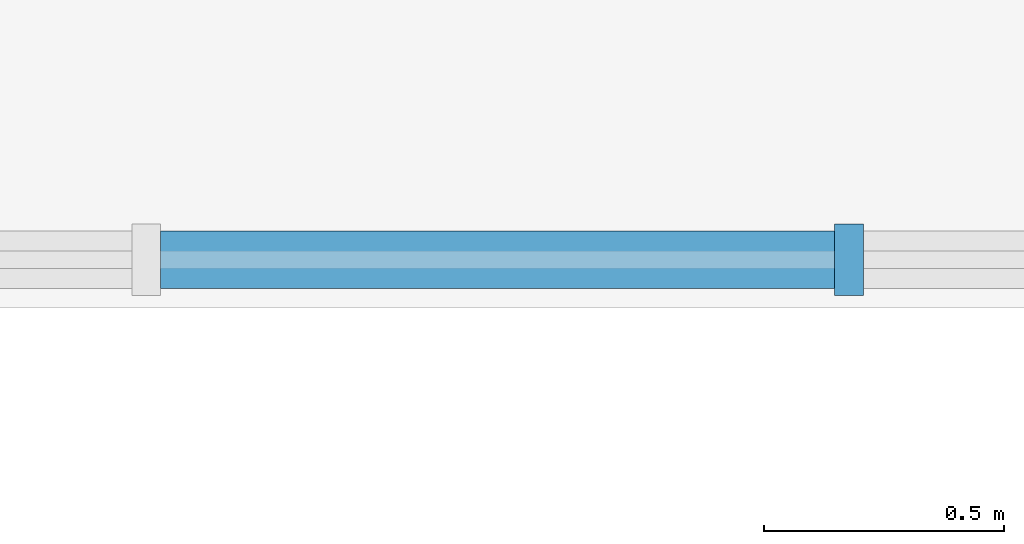
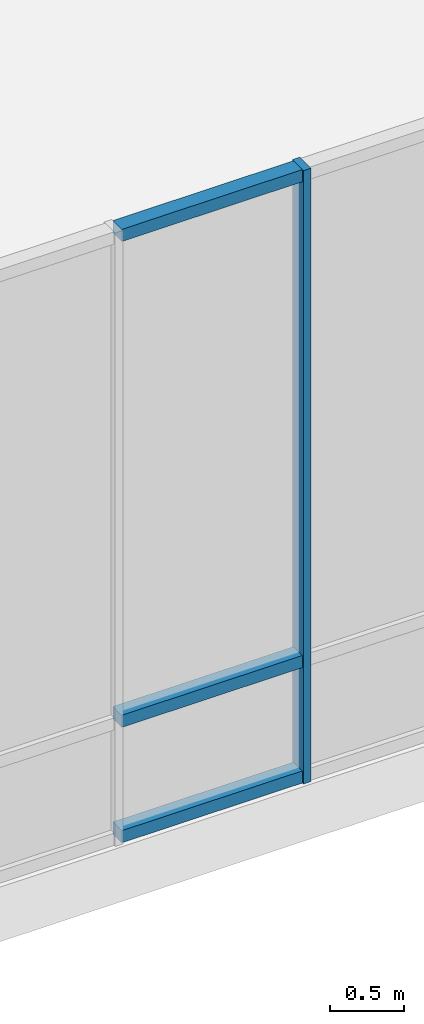
# One storey, part 7 of 30: 4 members, 1 element without a shape of its own.
"""IFC4 building model written with IfcOpenShell, lengths in metres."""

from ifc_helpers import new_model, si_unit, direction, frame, origin, origin_2d, place, context, subcontext, project, spatial, rectangle, extrude, material, layer, layer_set, material_profile, profile_set, type_object, element, aggregate, save


model = new_model("IFC4")

# Units and contexts
model_context = context("Model", 3, precision=1e-05, world=origin(), true_north=direction((0.0, 1.0)))
body_context = subcontext(model_context, "Body", "Model", "MODEL_VIEW")
ifc_project = project(units=[si_unit("LENGTHUNIT", "METRE"), si_unit("AREAUNIT", "SQUARE_METRE"), si_unit("VOLUMEUNIT", "CUBIC_METRE"), si_unit("PLANEANGLEUNIT", "RADIAN"), si_unit("MASSUNIT", "GRAM", prefix="KILO")], contexts=[model_context])

# Site, building, storey
site_placement = place(None, origin())
site = spatial("IfcSite", under=ifc_project, at=site_placement, CompositionType="ELEMENT")
building_placement = place(site_placement, origin())
building = spatial("IfcBuilding", under=site, at=building_placement, Name="Torana Hotel and Residences", CompositionType="ELEMENT")
storey_placement = place(building_placement, frame((0.0, 0.0, 12.5)))
storey = spatial("IfcBuildingStorey", under=building, at=storey_placement, Name="L02", CompositionType="ELEMENT", Elevation=12.5)

# Curtain wall, members
ifc_material_1 = material(Name="Dark anodised aluminium", Category="aluminium")
ifc_layer = layer(ifc_material_1, 0.14990234375)
ifc_layer_set = layer_set([ifc_layer], Name="CW5 PODIUM UPPER UNITISED CURTAIN WALL")
curtain_wall_type = type_object("IfcCurtainWallType", Name="CW5 PODIUM UPPER UNITISED CURTAIN WALL", PredefinedType="NOTDEFINED", material=ifc_layer_set)
curtain_wall_placement = place(storey_placement, origin())
curtain_wall = element("IfcCurtainWall", 1, at=curtain_wall_placement, inside=storey, type_object=curtain_wall_type, Name="Curtain wall CW5 L02 e1.0", PredefinedType="NOTDEFINED")
ifc_material_2 = material(Name="Dark anodised aluminium", Category="aluminium")
ifc_material_profile_1 = material_profile(ifc_material_2, rectangle(XDim=0.14990234375, YDim=0.06005859375, at=origin_2d()), Name="CW5 MULLION 60x150")
ifc_profile_set_1 = profile_set([ifc_material_profile_1], Name="Dark anodised aluminium")
member_type_1 = type_object("IfcMemberType", Name="CW5 MULLION 60x150", PredefinedType="MULLION", material=ifc_profile_set_1)
member_1_placement = place(storey_placement, frame((15.596435546875, -39.89990234375, 0.0), z_axis=(0.0, 0.0, 1.0), x_axis=(0.0, 1.0, 0.0)))
member_1 = element("IfcMember", 2, at=member_1_placement, type_object=member_type_1, Name="CW5 mullion 4", PredefinedType="MULLION", context=body_context, shape_type="SweptSolid", body=[
    extrude(rectangle(XDim=0.14990234375, YDim=0.06005859375, at=origin_2d()), origin(), (0.0, 0.0, 1.0), 5.050048828125),
])
ifc_material_3 = material(Name="Dark anodised aluminium", Category="aluminium")
ifc_material_profile_2 = material_profile(ifc_material_3, rectangle(XDim=0.1201171875, YDim=0.10009765625, at=origin_2d()), Name="CW5 TRANSOM 120x100")
ifc_profile_set_2 = profile_set([ifc_material_profile_2], Name="Dark anodised aluminium")
member_type_2 = type_object("IfcMemberType", Name="CW5 TRANSOM 120x100", PredefinedType="USERDEFINED", material=ifc_profile_set_2)
member_2_placement = place(storey_placement, frame((14.160888671875, -39.89990234375, 0.050048828125), z_axis=(1.0, 0.0, 0.0), x_axis=(0.0, 1.0, 0.0)))
member_2 = element("IfcMember", 3, at=member_2_placement, type_object=member_type_2, Name="CW5 transom 3.1", ObjectType="TRANSOM", PredefinedType="USERDEFINED", context=body_context, shape_type="SweptSolid", body=[
    extrude(rectangle(XDim=0.1201171875, YDim=0.10009765625, at=origin_2d()), origin(), (0.0, 0.0, 1.0), 1.405517578125),
])
member_3_placement = place(storey_placement, frame((14.160888671875, -39.89990234375, 1.0), z_axis=(1.0, 0.0, 0.0), x_axis=(0.0, 1.0, 0.0)))
member_3 = element("IfcMember", 4, at=member_3_placement, type_object=member_type_2, Name="CW5 transom 3.2", ObjectType="TRANSOM", PredefinedType="USERDEFINED", context=body_context, shape_type="SweptSolid", body=[
    extrude(rectangle(XDim=0.1201171875, YDim=0.10009765625, at=origin_2d()), origin(), (0.0, 0.0, 1.0), 1.405517578125),
])
member_4_placement = place(storey_placement, frame((14.160888671875, -39.89990234375, 5.0), z_axis=(1.0, 0.0, 0.0), x_axis=(0.0, 1.0, 0.0)))
member_4 = element("IfcMember", 5, at=member_4_placement, type_object=member_type_2, Name="CW5 transom 3.3", ObjectType="TRANSOM", PredefinedType="USERDEFINED", context=body_context, shape_type="SweptSolid", body=[
    extrude(rectangle(XDim=0.1201171875, YDim=0.10009765625, at=origin_2d()), origin(), (0.0, 0.0, 1.0), 1.405517578125),
])
aggregate(curtain_wall, [member_1, member_2, member_3, member_4])

save(model, "model.ifc")
